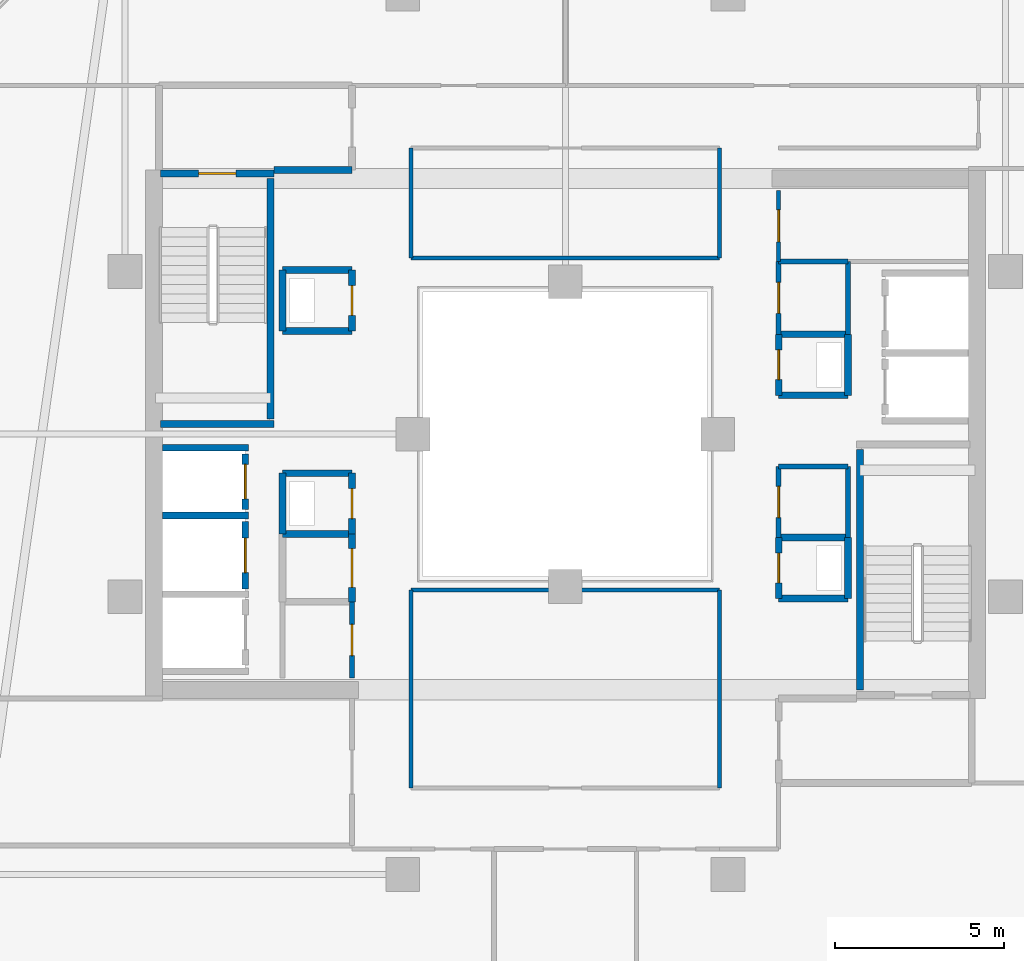
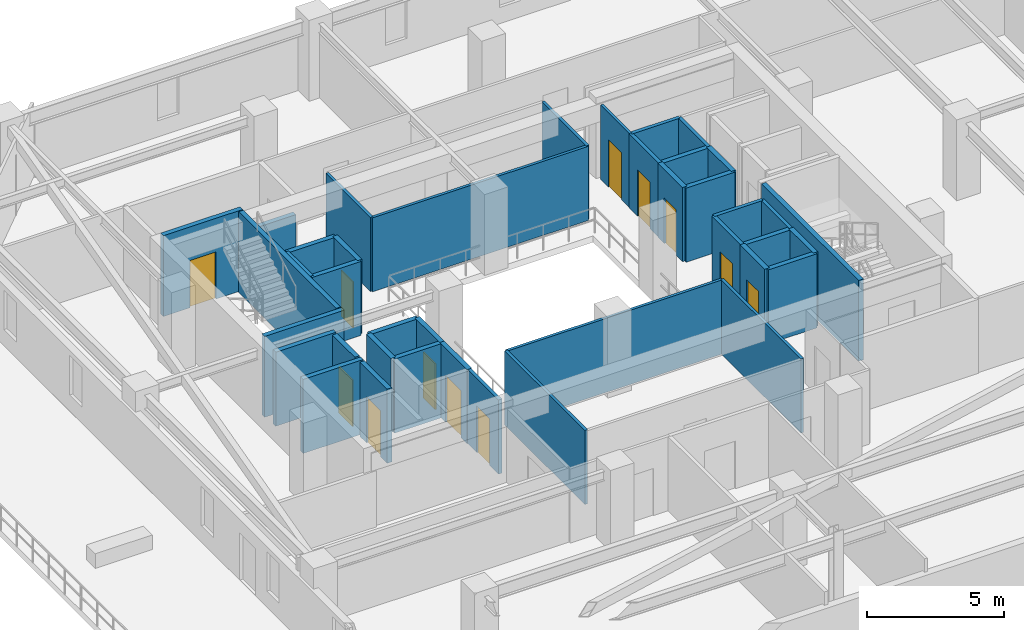
# One storey, part 22 of 29: 40 walls, 12 doors, 12 openings.
"""IFC4 building model written with IfcOpenShell, lengths in metres."""

from ifc_helpers import new_model, si_unit, direction, frame, frame_2d, origin, place, context, subcontext, project, spatial, rectangle, extrude, material, layer, layer_set, type_object, element, fill, save


model = new_model("IFC4")

# Units and contexts
model_context = context("Model", 3, precision=1e-05, world=origin(), true_north=direction((0.0, 1.0)))
body_context = subcontext(model_context, "Body", "Model", "MODEL_VIEW")
ifc_project = project(units=[si_unit("LENGTHUNIT", "METRE"), si_unit("AREAUNIT", "SQUARE_METRE"), si_unit("VOLUMEUNIT", "CUBIC_METRE"), si_unit("PLANEANGLEUNIT", "RADIAN"), si_unit("MASSUNIT", "GRAM", prefix="KILO")], contexts=[model_context])

# Site, building, storey
site_placement = place(None, origin())
site = spatial("IfcSite", under=ifc_project, at=site_placement, CompositionType="ELEMENT")
building_placement = place(site_placement, origin())
building = spatial("IfcBuilding", under=site, at=building_placement, Name="Thornwick Lancets Civic Towers", CompositionType="ELEMENT")
storey_placement = place(building_placement, frame((0.0, 0.0, 229.5)))
storey = spatial("IfcBuildingStorey", under=building, at=storey_placement, Name="L61", CompositionType="ELEMENT", Elevation=229.5)

# Wall, opening, door
ifc_material_1 = material(Name="Concrete blockwork C40/50", Category="masonry")
ifc_layer_1 = layer(ifc_material_1, 0.199951171875, Name="Concrete blockwork C40/50")
ifc_layer_set_1 = layer_set([ifc_layer_1], Name="Concrete blockwork C40/50")
wall_type_1 = type_object("IfcWallType", Name="WALL_COMP_200", PredefinedType="STANDARD", material=ifc_layer_set_1)
wall_1_placement = place(storey_placement, frame((79.050048828125, 24.780029296875, 0.0), z_axis=(0.0, 0.0, 1.0), x_axis=(0.0, 1.0, 0.0)))
wall_1 = element("IfcWall", 1, at=wall_1_placement, inside=storey, type_object=wall_type_1, Name="L61 Hoistway Front Wall FL-B2", PredefinedType="STANDARD", context=body_context, shape_type="SweptSolid", body=[
    extrude(rectangle(XDim=1.639892578125, YDim=0.199951171875, at=frame_2d((0.81982421875, 0.0))), origin(), (0.0, 0.0, 1.0), 3.300048828125),
])
opening_1_placement = place(wall_1_placement, frame((0.31005859375, 0.0, 0.0)))
opening_1 = element("IfcOpeningElement", 2, at=opening_1_placement, cuts=wall_1, Name="Opening LD-FL-B2", PredefinedType="OPENING", context=body_context, shape_type="SweptSolid", body=[
    extrude(rectangle(XDim=1.02001953125, YDim=2.06005859375, at=frame_2d((0.510009765625, 1.030029296875))), frame((0.0, 0.10986328125, 0.0), z_axis=(0.0, -1.0, 0.0), x_axis=(1.0, 0.0, 0.0)), (0.0, 0.0, 1.0), 0.219970703125),
])
ifc_material_2 = material(Name="Brushed bronze stainless steel", Category="steel")
door_type_1 = type_object("IfcDoorType", Name="DOOR_LIFT_SLIDE", OperationType="SLIDING_TO_LEFT", PredefinedType="DOOR", material=ifc_material_2)
door_1_placement = place(opening_1_placement, origin())
door_1 = element("IfcDoor", 3, at=door_1_placement, inside=storey, type_object=door_type_1, Name="L61 Sliding Lift Landing Door LD-FL-B2", OperationType="SLIDING_TO_LEFT", OverallHeight=2.06005859375, OverallWidth=1.02001953125, PredefinedType="DOOR", context=body_context, shape_type="SweptSolid", body=[
    extrude(rectangle(XDim=1.02001953125, YDim=2.06005859375, at=frame_2d((0.510009765625, 1.030029296875))), frame((0.0, 0.02490234375, 0.0), z_axis=(0.0, -1.0, 0.0), x_axis=(1.0, 0.0, 0.0)), (0.0, 0.0, 1.0), 0.050048828125),
])
fill(opening_1, door_1)

wall_2_placement = place(storey_placement, frame((79.050048828125, 22.429931640625, 0.0), z_axis=(0.0, 0.0, 1.0), x_axis=(0.0, 1.0, 0.0)))
wall_2 = element("IfcWall", 4, at=wall_2_placement, inside=storey, type_object=wall_type_1, Name="L61 Hoistway Front Wall PL-BH2", PredefinedType="STANDARD", context=body_context, shape_type="SweptSolid", body=[
    extrude(rectangle(XDim=1.989990234375, YDim=0.199951171875, at=frame_2d((0.9951171875, 0.0))), origin(), (0.0, 0.0, 1.0), 3.300048828125),
])
opening_2_placement = place(wall_2_placement, frame((0.485107421875, 0.0, 0.0)))
opening_2 = element("IfcOpeningElement", 5, at=opening_2_placement, cuts=wall_2, Name="Opening LD-PL-BH2", PredefinedType="OPENING", context=body_context, shape_type="SweptSolid", body=[
    extrude(rectangle(XDim=1.02001953125, YDim=2.06005859375, at=frame_2d((0.510009765625, 1.030029296875))), frame((0.0, 0.10986328125, 0.0), z_axis=(0.0, -1.0, 0.0), x_axis=(1.0, 0.0, 0.0)), (0.0, 0.0, 1.0), 0.219970703125),
])
door_2_placement = place(opening_2_placement, origin())
door_2 = element("IfcDoor", 6, at=door_2_placement, inside=storey, type_object=door_type_1, Name="L61 Sliding Lift Landing Door LD-PL-BH2", OperationType="SLIDING_TO_LEFT", OverallHeight=2.06005859375, OverallWidth=1.02001953125, PredefinedType="DOOR", context=body_context, shape_type="SweptSolid", body=[
    extrude(rectangle(XDim=1.02001953125, YDim=2.06005859375, at=frame_2d((0.510009765625, 1.030029296875))), frame((0.0, 0.02490234375, 0.0), z_axis=(0.0, -1.0, 0.0), x_axis=(1.0, 0.0, 0.0)), (0.0, 0.0, 1.0), 0.050048828125),
])
fill(opening_2, door_2)

# Walls
for number, where, z_axis, x_axis, name in (
    (7, (76.612060546875, 26.60009765625, 0.0), (0.0, 0.0, 1.0), (1.0, 0.0, 0.0), "L61 Hoistway Shaft Wall FL-B2 N"),
    (8, (76.612060546875, 24.60009765625, 0.0), (0.0, 0.0, 1.0), (1.0, 0.0, 0.0), "L61 Hoistway Shaft Wall FL-B2 S"),
):
    element("IfcWall", number, at=place(storey_placement, frame(where, z_axis=z_axis, x_axis=x_axis)), inside=storey, type_object=wall_type_1, Name=name, PredefinedType="STANDARD", context=body_context, shape_type="SweptSolid", body=[
        extrude(rectangle(XDim=2.535888671875, YDim=0.199951171875, at=frame_2d((1.26806640625, 0.0))), origin(), (0.0, 0.0, 1.0), 3.300048828125),
    ])
wall_3_placement = place(storey_placement, frame((79.89990234375, 34.800048828125, 0.0), z_axis=(0.0, 0.0, 1.0), x_axis=(1.0, 0.0, 0.0)))
element("IfcWall", 9, at=wall_3_placement, inside=storey, type_object=wall_type_1, Name="L61 Partition L61-B-FFLOB2 E1", PredefinedType="STANDARD", context=body_context, shape_type="SweptSolid", body=[
    extrude(rectangle(XDim=2.300048828125, YDim=0.199951171875, at=frame_2d((1.14990234375, 0.0))), origin(), (0.0, 0.0, 1.0), 2.5048828125),
])
wall_4_placement = place(storey_placement, frame((94.800048828125, 28.14990234375, 0.0), z_axis=(0.0, 0.0, 1.0), x_axis=(1.0, 0.0, 0.0)))
element("IfcWall", 10, at=wall_4_placement, inside=storey, type_object=wall_type_1, Name="L61 Partition L61-B-DUCT1 E1", PredefinedType="STANDARD", context=body_context, shape_type="SweptSolid", body=[
    extrude(rectangle(XDim=2.050048828125, YDim=0.199951171875, at=frame_2d((1.02490234375, 0.0))), origin(), (0.0, 0.0, 1.0), 3.300048828125),
])
wall_5_placement = place(storey_placement, frame((96.85009765625, 28.14990234375, 0.0), z_axis=(0.0, 0.0, 1.0), x_axis=(0.0, 1.0, 0.0)))
element("IfcWall", 11, at=wall_5_placement, inside=storey, type_object=wall_type_1, Name="L61 Partition L61-B-DUCT1 E2", PredefinedType="STANDARD", context=body_context, shape_type="SweptSolid", body=[
    extrude(rectangle(XDim=1.800048828125, YDim=0.199951171875, at=frame_2d((0.89990234375, 0.0))), origin(), (0.0, 0.0, 1.0), 3.300048828125),
])
wall_6_placement = place(storey_placement, frame((96.85009765625, 29.949951171875, 0.0), z_axis=(0.0, 0.0, 1.0), x_axis=(-1.0, 0.0, 0.0)))
element("IfcWall", 12, at=wall_6_placement, inside=storey, type_object=wall_type_1, Name="L61 Partition L61-B-DUCT1 E3", PredefinedType="STANDARD", context=body_context, shape_type="SweptSolid", body=[
    extrude(rectangle(XDim=2.050048828125, YDim=0.199951171875, at=frame_2d((1.02490234375, 0.0))), origin(), (0.0, 0.0, 1.0), 3.300048828125),
])

# Wall, opening, door
wall_7_placement = place(storey_placement, frame((94.800048828125, 29.949951171875, 0.0), z_axis=(0.0, 0.0, 1.0), x_axis=(0.0, -1.0, 0.0)))
wall_7 = element("IfcWall", 13, at=wall_7_placement, inside=storey, type_object=wall_type_1, Name="L61 Partition L61-B-DUCT1 E4", PredefinedType="STANDARD", context=body_context, shape_type="SweptSolid", body=[
    extrude(rectangle(XDim=1.800048828125, YDim=0.199951171875, at=frame_2d((0.89990234375, 0.0))), origin(), (0.0, 0.0, 1.0), 3.300048828125),
])
opening_3_placement = place(wall_7_placement, frame((0.4599609375, 0.0, 0.0)))
opening_3 = element("IfcOpeningElement", 14, at=opening_3_placement, cuts=wall_7, Name="Opening D-L61-2750", PredefinedType="OPENING", context=body_context, shape_type="SweptSolid", body=[
    extrude(rectangle(XDim=0.8798828125, YDim=2.0400390625, at=frame_2d((0.43994140625, 1.02001953125))), frame((0.0, 0.10986328125, 0.0), z_axis=(0.0, -1.0, 0.0), x_axis=(1.0, 0.0, 0.0)), (0.0, 0.0, 1.0), 0.219970703125),
])
ifc_material_3 = material(Name="Steel riser access doorset", Category="steel")
door_type_2 = type_object("IfcDoorType", Name="DOOR_RISER_850", OperationType="NOTDEFINED", PredefinedType="DOOR", material=ifc_material_3)
door_3_placement = place(opening_3_placement, origin())
door_3 = element("IfcDoor", 15, at=door_3_placement, inside=storey, type_object=door_type_2, Name="L61 East Service Duct 1 Door", OperationType="SINGLE_SWING_LEFT", OverallHeight=2.0400390625, OverallWidth=0.8798828125, PredefinedType="DOOR", context=body_context, shape_type="SweptSolid", body=[
    extrude(rectangle(XDim=0.8798828125, YDim=2.0400390625, at=frame_2d((0.43994140625, 1.02001953125))), frame((0.0, 0.02490234375, 0.0), z_axis=(0.0, -1.0, 0.0), x_axis=(1.0, 0.0, 0.0)), (0.0, 0.0, 1.0), 0.050048828125),
])
fill(opening_3, door_3)

# Walls
wall_8_placement = place(storey_placement, frame((94.800048828125, 22.14990234375, 0.0), z_axis=(0.0, 0.0, 1.0), x_axis=(1.0, 0.0, 0.0)))
element("IfcWall", 16, at=wall_8_placement, inside=storey, type_object=wall_type_1, Name="L61 Partition L61-B-RISER1 E1", PredefinedType="STANDARD", context=body_context, shape_type="SweptSolid", body=[
    extrude(rectangle(XDim=2.050048828125, YDim=0.199951171875, at=frame_2d((1.02490234375, 0.0))), origin(), (0.0, 0.0, 1.0), 3.300048828125),
])
wall_9_placement = place(storey_placement, frame((96.85009765625, 22.14990234375, 0.0), z_axis=(0.0, 0.0, 1.0), x_axis=(0.0, 1.0, 0.0)))
element("IfcWall", 17, at=wall_9_placement, inside=storey, type_object=wall_type_1, Name="L61 Partition L61-B-RISER1 E2", PredefinedType="STANDARD", context=body_context, shape_type="SweptSolid", body=[
    extrude(rectangle(XDim=1.800048828125, YDim=0.199951171875, at=frame_2d((0.89990234375, 0.0))), origin(), (0.0, 0.0, 1.0), 3.300048828125),
])
wall_10_placement = place(storey_placement, frame((96.85009765625, 23.949951171875, 0.0), z_axis=(0.0, 0.0, 1.0), x_axis=(-1.0, 0.0, 0.0)))
element("IfcWall", 18, at=wall_10_placement, inside=storey, type_object=wall_type_1, Name="L61 Partition L61-B-RISER1 E3", PredefinedType="STANDARD", context=body_context, shape_type="SweptSolid", body=[
    extrude(rectangle(XDim=2.050048828125, YDim=0.199951171875, at=frame_2d((1.02490234375, 0.0))), origin(), (0.0, 0.0, 1.0), 3.300048828125),
])

# Wall, opening, door
wall_11_placement = place(storey_placement, frame((94.800048828125, 23.949951171875, 0.0), z_axis=(0.0, 0.0, 1.0), x_axis=(0.0, -1.0, 0.0)))
wall_11 = element("IfcWall", 19, at=wall_11_placement, inside=storey, type_object=wall_type_1, Name="L61 Partition L61-B-RISER1 E4", PredefinedType="STANDARD", context=body_context, shape_type="SweptSolid", body=[
    extrude(rectangle(XDim=1.800048828125, YDim=0.199951171875, at=frame_2d((0.89990234375, 0.0))), origin(), (0.0, 0.0, 1.0), 3.300048828125),
])
opening_4_placement = place(wall_11_placement, frame((0.4599609375, 0.0, 0.0)))
opening_4 = element("IfcOpeningElement", 20, at=opening_4_placement, cuts=wall_11, Name="Opening D-L61-2751", PredefinedType="OPENING", context=body_context, shape_type="SweptSolid", body=[
    extrude(rectangle(XDim=0.8798828125, YDim=2.0400390625, at=frame_2d((0.43994140625, 1.02001953125))), frame((0.0, 0.10986328125, 0.0), z_axis=(0.0, -1.0, 0.0), x_axis=(1.0, 0.0, 0.0)), (0.0, 0.0, 1.0), 0.219970703125),
])
door_4_placement = place(opening_4_placement, origin())
door_4 = element("IfcDoor", 21, at=door_4_placement, inside=storey, type_object=door_type_2, Name="L61 East Electrical Riser 1 Door", OperationType="SINGLE_SWING_RIGHT", OverallHeight=2.0400390625, OverallWidth=0.8798828125, PredefinedType="DOOR", context=body_context, shape_type="SweptSolid", body=[
    extrude(rectangle(XDim=0.8798828125, YDim=2.0400390625, at=frame_2d((0.43994140625, 1.02001953125))), frame((0.0, 0.02490234375, 0.0), z_axis=(0.0, -1.0, 0.0), x_axis=(1.0, 0.0, 0.0)), (0.0, 0.0, 1.0), 0.050048828125),
])
fill(opening_4, door_4)

# Wall
wall_12_placement = place(storey_placement, frame((80.14990234375, 24.050048828125, 0.0), z_axis=(0.0, 0.0, 1.0), x_axis=(1.0, 0.0, 0.0)))
element("IfcWall", 22, at=wall_12_placement, inside=storey, type_object=wall_type_1, Name="L61 Partition L61-B-DUCT2 E1", PredefinedType="STANDARD", context=body_context, shape_type="SweptSolid", body=[
    extrude(rectangle(XDim=2.050048828125, YDim=0.199951171875, at=frame_2d((1.02490234375, 0.0))), origin(), (0.0, 0.0, 1.0), 3.300048828125),
])

# Wall, opening, door
wall_13_placement = place(storey_placement, frame((82.199951171875, 24.050048828125, 0.0), z_axis=(0.0, 0.0, 1.0), x_axis=(0.0, 1.0, 0.0)))
wall_13 = element("IfcWall", 23, at=wall_13_placement, inside=storey, type_object=wall_type_1, Name="L61 Partition L61-B-DUCT2 E2", PredefinedType="STANDARD", context=body_context, shape_type="SweptSolid", body=[
    extrude(rectangle(XDim=1.800048828125, YDim=0.199951171875, at=frame_2d((0.89990234375, 0.0))), origin(), (0.0, 0.0, 1.0), 3.300048828125),
])
opening_5_placement = place(wall_13_placement, frame((0.4599609375, 0.0, 0.0)))
opening_5 = element("IfcOpeningElement", 24, at=opening_5_placement, cuts=wall_13, Name="Opening D-L61-2752", PredefinedType="OPENING", context=body_context, shape_type="SweptSolid", body=[
    extrude(rectangle(XDim=0.8798828125, YDim=2.0400390625, at=frame_2d((0.43994140625, 1.02001953125))), frame((0.0, 0.10986328125, 0.0), z_axis=(0.0, -1.0, 0.0), x_axis=(1.0, 0.0, 0.0)), (0.0, 0.0, 1.0), 0.219970703125),
])
door_5_placement = place(opening_5_placement, origin())
door_5 = element("IfcDoor", 25, at=door_5_placement, inside=storey, type_object=door_type_2, Name="L61 West Service Duct 2 Door", OperationType="SINGLE_SWING_LEFT", OverallHeight=2.0400390625, OverallWidth=0.8798828125, PredefinedType="DOOR", context=body_context, shape_type="SweptSolid", body=[
    extrude(rectangle(XDim=0.8798828125, YDim=2.0400390625, at=frame_2d((0.43994140625, 1.02001953125))), frame((0.0, 0.02490234375, 0.0), z_axis=(0.0, -1.0, 0.0), x_axis=(1.0, 0.0, 0.0)), (0.0, 0.0, 1.0), 0.050048828125),
])
fill(opening_5, door_5)

# Walls
wall_14_placement = place(storey_placement, frame((82.199951171875, 25.85009765625, 0.0), z_axis=(0.0, 0.0, 1.0), x_axis=(-1.0, 0.0, 0.0)))
element("IfcWall", 26, at=wall_14_placement, inside=storey, type_object=wall_type_1, Name="L61 Partition L61-B-DUCT2 E3", PredefinedType="STANDARD", context=body_context, shape_type="SweptSolid", body=[
    extrude(rectangle(XDim=2.050048828125, YDim=0.199951171875, at=frame_2d((1.02490234375, 0.0))), origin(), (0.0, 0.0, 1.0), 3.300048828125),
])
wall_15_placement = place(storey_placement, frame((80.14990234375, 25.85009765625, 0.0), z_axis=(0.0, 0.0, 1.0), x_axis=(0.0, -1.0, 0.0)))
element("IfcWall", 27, at=wall_15_placement, inside=storey, type_object=wall_type_1, Name="L61 Partition L61-B-DUCT2 E4", PredefinedType="STANDARD", context=body_context, shape_type="SweptSolid", body=[
    extrude(rectangle(XDim=1.800048828125, YDim=0.199951171875, at=frame_2d((0.89990234375, 0.0))), origin(), (0.0, 0.0, 1.0), 3.300048828125),
])
wall_16_placement = place(storey_placement, frame((80.14990234375, 30.050048828125, 0.0), z_axis=(0.0, 0.0, 1.0), x_axis=(1.0, 0.0, 0.0)))
element("IfcWall", 28, at=wall_16_placement, inside=storey, type_object=wall_type_1, Name="L61 Partition L61-B-RISER2 E1", PredefinedType="STANDARD", context=body_context, shape_type="SweptSolid", body=[
    extrude(rectangle(XDim=2.050048828125, YDim=0.199951171875, at=frame_2d((1.02490234375, 0.0))), origin(), (0.0, 0.0, 1.0), 3.300048828125),
])

# Wall, opening, door
wall_17_placement = place(storey_placement, frame((82.199951171875, 30.050048828125, 0.0), z_axis=(0.0, 0.0, 1.0), x_axis=(0.0, 1.0, 0.0)))
wall_17 = element("IfcWall", 29, at=wall_17_placement, inside=storey, type_object=wall_type_1, Name="L61 Partition L61-B-RISER2 E2", PredefinedType="STANDARD", context=body_context, shape_type="SweptSolid", body=[
    extrude(rectangle(XDim=1.800048828125, YDim=0.199951171875, at=frame_2d((0.89990234375, 0.0))), origin(), (0.0, 0.0, 1.0), 3.300048828125),
])
opening_6_placement = place(wall_17_placement, frame((0.4599609375, 0.0, 0.0)))
opening_6 = element("IfcOpeningElement", 30, at=opening_6_placement, cuts=wall_17, Name="Opening D-L61-2753", PredefinedType="OPENING", context=body_context, shape_type="SweptSolid", body=[
    extrude(rectangle(XDim=0.8798828125, YDim=2.0400390625, at=frame_2d((0.43994140625, 1.02001953125))), frame((0.0, 0.10986328125, 0.0), z_axis=(0.0, -1.0, 0.0), x_axis=(1.0, 0.0, 0.0)), (0.0, 0.0, 1.0), 0.219970703125),
])
door_6_placement = place(opening_6_placement, origin())
door_6 = element("IfcDoor", 31, at=door_6_placement, inside=storey, type_object=door_type_2, Name="L61 West Service Riser 2 Door", OperationType="SINGLE_SWING_RIGHT", OverallHeight=2.0400390625, OverallWidth=0.8798828125, PredefinedType="DOOR", context=body_context, shape_type="SweptSolid", body=[
    extrude(rectangle(XDim=0.8798828125, YDim=2.0400390625, at=frame_2d((0.43994140625, 1.02001953125))), frame((0.0, 0.02490234375, 0.0), z_axis=(0.0, -1.0, 0.0), x_axis=(1.0, 0.0, 0.0)), (0.0, 0.0, 1.0), 0.050048828125),
])
fill(opening_6, door_6)

# Walls
wall_18_placement = place(storey_placement, frame((82.199951171875, 31.85009765625, 0.0), z_axis=(0.0, 0.0, 1.0), x_axis=(-1.0, 0.0, 0.0)))
element("IfcWall", 32, at=wall_18_placement, inside=storey, type_object=wall_type_1, Name="L61 Partition L61-B-RISER2 E3", PredefinedType="STANDARD", context=body_context, shape_type="SweptSolid", body=[
    extrude(rectangle(XDim=2.050048828125, YDim=0.199951171875, at=frame_2d((1.02490234375, 0.0))), origin(), (0.0, 0.0, 1.0), 3.300048828125),
])
wall_19_placement = place(storey_placement, frame((80.14990234375, 31.85009765625, 0.0), z_axis=(0.0, 0.0, 1.0), x_axis=(0.0, -1.0, 0.0)))
element("IfcWall", 33, at=wall_19_placement, inside=storey, type_object=wall_type_1, Name="L61 Partition L61-B-RISER2 E4", PredefinedType="STANDARD", context=body_context, shape_type="SweptSolid", body=[
    extrude(rectangle(XDim=1.800048828125, YDim=0.199951171875, at=frame_2d((0.89990234375, 0.0))), origin(), (0.0, 0.0, 1.0), 3.300048828125),
])

# Wall, opening, door
wall_20_placement = place(storey_placement, frame((82.199951171875, 24.050048828125, 0.0), z_axis=(0.0, 0.0, 1.0), x_axis=(0.0, -1.0, 0.0)))
wall_20 = element("IfcWall", 34, at=wall_20_placement, inside=storey, type_object=wall_type_1, Name="L61 Partition L61-B-STR E3", PredefinedType="STANDARD", context=body_context, shape_type="SweptSolid", body=[
    extrude(rectangle(XDim=2.0, YDim=0.199951171875, at=frame_2d((1.0, 0.0))), origin(), (0.0, 0.0, 1.0), 3.300048828125),
])
opening_7_placement = place(wall_20_placement, frame((0.425048828125, 0.0, 0.0)))
opening_7 = element("IfcOpeningElement", 35, at=opening_7_placement, cuts=wall_20, Name="Opening D-L61-2758", PredefinedType="OPENING", context=body_context, shape_type="SweptSolid", body=[
    extrude(rectangle(XDim=1.14990234375, YDim=2.10009765625, at=frame_2d((0.574951171875, 1.050048828125))), frame((0.0, 0.10986328125, 0.0), z_axis=(0.0, -1.0, 0.0), x_axis=(1.0, 0.0, 0.0)), (0.0, 0.0, 1.0), 0.219970703125),
])
ifc_material_4 = material(Name="Glazed fire-resisting steel", Category="steel")
door_type_3 = type_object("IfcDoorType", Name="DOOR_LOBBY_FD60", OperationType="NOTDEFINED", PredefinedType="DOOR", material=ifc_material_4)
door_7_placement = place(opening_7_placement, origin())
door_7 = element("IfcDoor", 36, at=door_7_placement, inside=storey, type_object=door_type_3, Name="L61 Tower B Core Records Store Door", OperationType="SINGLE_SWING_LEFT", OverallHeight=2.10009765625, OverallWidth=1.14990234375, PredefinedType="DOOR", context=body_context, shape_type="SweptSolid", body=[
    extrude(rectangle(XDim=1.14990234375, YDim=2.10009765625, at=frame_2d((0.574951171875, 1.050048828125))), frame((0.0, 0.02490234375, 0.0), z_axis=(0.0, -1.0, 0.0), x_axis=(1.0, 0.0, 0.0)), (0.0, 0.0, 1.0), 0.050048828125),
])
fill(opening_7, door_7)

ifc_material_5 = material(Name="Acoustic gypsum board partition")
ifc_layer_2 = layer(ifc_material_5, 0.1201171875, Name="Acoustic gypsum board partition")
ifc_layer_set_2 = layer_set([ifc_layer_2], Name="Acoustic gypsum board partition")
wall_type_2 = type_object("IfcWallType", Name="WALL_PART_120", PredefinedType="PARTITIONING", material=ifc_layer_set_2)
wall_21_placement = place(storey_placement, frame((94.800048828125, 32.10009765625, 0.0), z_axis=(0.0, 0.0, 1.0), x_axis=(0.0, 1.0, 0.0)))
wall_21 = element("IfcWall", 37, at=wall_21_placement, inside=storey, type_object=wall_type_2, Name="L61 Partition L61-B-ITR E1", PredefinedType="PARTITIONING", context=body_context, shape_type="SweptSolid", body=[
    extrude(rectangle(XDim=2.099853515625, YDim=0.1201171875, at=frame_2d((1.0498046875, 0.0))), origin(), (0.0, 0.0, 1.0), 3.300048828125),
])
opening_8_placement = place(wall_21_placement, frame((0.574951171875, 0.0, 0.0)))
opening_8 = element("IfcOpeningElement", 38, at=opening_8_placement, cuts=wall_21, Name="Opening D-L61-2756", PredefinedType="OPENING", context=body_context, shape_type="SweptSolid", body=[
    extrude(rectangle(XDim=0.949951171875, YDim=2.10009765625, at=frame_2d((0.47509765625, 1.050048828125))), frame((0.0, 0.070068359375, 0.0), z_axis=(0.0, -1.0, 0.0), x_axis=(1.0, 0.0, 0.0)), (0.0, 0.0, 1.0), 0.14013671875),
])
ifc_material_6 = material(Name="European oak acoustic doorset")
door_type_4 = type_object("IfcDoorType", Name="DOOR_OFFICE_950", OperationType="NOTDEFINED", PredefinedType="DOOR", material=ifc_material_6)
door_8_placement = place(opening_8_placement, origin())
door_8 = element("IfcDoor", 39, at=door_8_placement, inside=storey, type_object=door_type_4, Name="L61 Tower B Comms Patch Room Door", OperationType="SINGLE_SWING_LEFT", OverallHeight=2.10009765625, OverallWidth=0.949951171875, PredefinedType="DOOR", context=body_context, shape_type="SweptSolid", body=[
    extrude(rectangle(XDim=0.949951171875, YDim=2.10009765625, at=frame_2d((0.47509765625, 1.050048828125))), frame((0.0, 0.02490234375, 0.0), z_axis=(0.0, -1.0, 0.0), x_axis=(1.0, 0.0, 0.0)), (0.0, 0.0, 1.0), 0.050048828125),
])
fill(opening_8, door_8)

# Walls
wall_22_placement = place(storey_placement, frame((83.949951171875, 16.550048828125, 0.0), z_axis=(0.0, 0.0, 1.0), x_axis=(0.0, 1.0, 0.0)))
element("IfcWall", 40, at=wall_22_placement, inside=storey, type_object=wall_type_2, Name="L61 Partition L61-B-W3 E1", PredefinedType="PARTITIONING", context=body_context, shape_type="SweptSolid", body=[
    extrude(rectangle(XDim=5.849853515625, YDim=0.1201171875, at=frame_2d((2.9248046875, 0.0))), origin(), (0.0, 0.0, 1.0), 3.300048828125),
])
wall_23_placement = place(storey_placement, frame((83.949951171875, 22.39990234375, 0.0), z_axis=(0.0, 0.0, 1.0), x_axis=(1.0, 0.0, 0.0)))
element("IfcWall", 41, at=wall_23_placement, inside=storey, type_object=wall_type_2, Name="L61 Partition L61-B-W3 E2", PredefinedType="PARTITIONING", context=body_context, shape_type="SweptSolid", body=[
    extrude(rectangle(XDim=9.10009765625, YDim=0.1201171875, at=frame_2d((4.550048828125, 0.0))), origin(), (0.0, 0.0, 1.0), 3.300048828125),
])
wall_24_placement = place(storey_placement, frame((93.050048828125, 22.39990234375, 0.0), z_axis=(0.0, 0.0, 1.0), x_axis=(0.0, -1.0, 0.0)))
element("IfcWall", 42, at=wall_24_placement, inside=storey, type_object=wall_type_2, Name="L61 Partition L61-B-W3 E3", PredefinedType="PARTITIONING", context=body_context, shape_type="SweptSolid", body=[
    extrude(rectangle(XDim=5.849853515625, YDim=0.1201171875, at=frame_2d((2.9248046875, 0.0))), origin(), (0.0, 0.0, 1.0), 3.300048828125),
])
for number, where, z_axis, x_axis, name in (
    (43, (83.949951171875, 32.199951171875, 0.0), (0.0, 0.0, 1.0), (0.0, 1.0, 0.0), "L61 Partition L61-B-E-ATRIUM-OFF E1"),
    (44, (93.050048828125, 35.449951171875, 0.0), (0.0, 0.0, 1.0), (0.0, -1.0, 0.0), "L61 Partition L61-B-E-ATRIUM-OFF E3"),
):
    element("IfcWall", number, at=place(storey_placement, frame(where, z_axis=z_axis, x_axis=x_axis)), inside=storey, type_object=wall_type_2, Name=name, PredefinedType="PARTITIONING", context=body_context, shape_type="SweptSolid", body=[
        extrude(rectangle(XDim=3.25, YDim=0.1201171875, at=frame_2d((1.625, 0.0))), origin(), (0.0, 0.0, 1.0), 3.300048828125),
    ])
wall_25_placement = place(storey_placement, frame((93.050048828125, 32.199951171875, 0.0), z_axis=(0.0, 0.0, 1.0), x_axis=(-1.0, 0.0, 0.0)))
element("IfcWall", 45, at=wall_25_placement, inside=storey, type_object=wall_type_2, Name="L61 Partition L61-B-E-ATRIUM-OFF E4", PredefinedType="PARTITIONING", context=body_context, shape_type="SweptSolid", body=[
    extrude(rectangle(XDim=9.10009765625, YDim=0.1201171875, at=frame_2d((4.550048828125, 0.0))), origin(), (0.0, 0.0, 1.0), 3.300048828125),
])

# Wall, opening, door
ifc_material_7 = material(Name="Twin-stud acoustic gypsum board")
ifc_layer_3 = layer(ifc_material_7, 0.14990234375, Name="Twin-stud acoustic gypsum board")
ifc_layer_set_3 = layer_set([ifc_layer_3], Name="Twin-stud acoustic gypsum board")
wall_type_3 = type_object("IfcWallType", Name="WALL_PART_150", PredefinedType="PARTITIONING", material=ifc_layer_set_3)
wall_26_placement = place(storey_placement, frame((94.800048828125, 23.949951171875, 0.0), z_axis=(0.0, 0.0, 1.0), x_axis=(0.0, 1.0, 0.0)))
wall_26 = element("IfcWall", 46, at=wall_26_placement, inside=storey, type_object=wall_type_3, Name="L61 Partition L61-B-MWC E1", PredefinedType="PARTITIONING", context=body_context, shape_type="SweptSolid", body=[
    extrude(rectangle(XDim=2.10009765625, YDim=0.14990234375, at=frame_2d((1.050048828125, 0.0))), origin(), (0.0, 0.0, 1.0), 3.300048828125),
])
opening_9_placement = place(wall_26_placement, frame((0.590087890625, 0.0, 0.0)))
opening_9 = element("IfcOpeningElement", 47, at=opening_9_placement, cuts=wall_26, Name="Opening D-L61-2754", PredefinedType="OPENING", context=body_context, shape_type="SweptSolid", body=[
    extrude(rectangle(XDim=0.919921875, YDim=2.080078125, at=frame_2d((0.4599609375, 1.0400390625))), frame((0.0, 0.0849609375, 0.0), z_axis=(0.0, -1.0, 0.0), x_axis=(1.0, 0.0, 0.0)), (0.0, 0.0, 1.0), 0.169921875),
])
ifc_material_8 = material(Name="Moisture-resistant oak doorset")
door_type_5 = type_object("IfcDoorType", Name="DOOR_WC_900", OperationType="NOTDEFINED", PredefinedType="DOOR", material=ifc_material_8)
door_9_placement = place(opening_9_placement, origin())
door_9 = element("IfcDoor", 48, at=door_9_placement, inside=storey, type_object=door_type_5, Name="L61 Tower B Male WC Door", OperationType="SINGLE_SWING_LEFT", OverallHeight=2.080078125, OverallWidth=0.919921875, PredefinedType="DOOR", context=body_context, shape_type="SweptSolid", body=[
    extrude(rectangle(XDim=0.919921875, YDim=2.080078125, at=frame_2d((0.4599609375, 1.0400390625))), frame((0.0, 0.02490234375, 0.0), z_axis=(0.0, -1.0, 0.0), x_axis=(1.0, 0.0, 0.0)), (0.0, 0.0, 1.0), 0.050048828125),
])
fill(opening_9, door_9)

# Walls
wall_27_placement = place(storey_placement, frame((94.800048828125, 26.050048828125, 0.0), z_axis=(0.0, 0.0, 1.0), x_axis=(1.0, 0.0, 0.0)))
element("IfcWall", 49, at=wall_27_placement, inside=storey, type_object=wall_type_3, Name="L61 Partition L61-B-MWC E2", PredefinedType="PARTITIONING", context=body_context, shape_type="SweptSolid", body=[
    extrude(rectangle(XDim=2.050048828125, YDim=0.14990234375, at=frame_2d((1.02490234375, 0.0))), origin(), (0.0, 0.0, 1.0), 3.300048828125),
])
wall_28_placement = place(storey_placement, frame((96.85009765625, 26.050048828125, 0.0), z_axis=(0.0, 0.0, 1.0), x_axis=(0.0, -1.0, 0.0)))
element("IfcWall", 50, at=wall_28_placement, inside=storey, type_object=wall_type_3, Name="L61 Partition L61-B-MWC E3", PredefinedType="PARTITIONING", context=body_context, shape_type="SweptSolid", body=[
    extrude(rectangle(XDim=2.10009765625, YDim=0.14990234375, at=frame_2d((1.050048828125, 0.0))), origin(), (0.0, 0.0, 1.0), 3.300048828125),
])

# Wall, opening, door
wall_29_placement = place(storey_placement, frame((94.800048828125, 29.949951171875, 0.0), z_axis=(0.0, 0.0, 1.0), x_axis=(0.0, 1.0, 0.0)))
wall_29 = element("IfcWall", 51, at=wall_29_placement, inside=storey, type_object=wall_type_3, Name="L61 Partition L61-B-FWC E1", PredefinedType="PARTITIONING", context=body_context, shape_type="SweptSolid", body=[
    extrude(rectangle(XDim=2.150146484375, YDim=0.14990234375, at=frame_2d((1.0751953125, 0.0))), origin(), (0.0, 0.0, 1.0), 3.300048828125),
])
opening_10_placement = place(wall_29_placement, frame((0.614990234375, 0.0, 0.0)))
opening_10 = element("IfcOpeningElement", 52, at=opening_10_placement, cuts=wall_29, Name="Opening D-L61-2755", PredefinedType="OPENING", context=body_context, shape_type="SweptSolid", body=[
    extrude(rectangle(XDim=0.919921875, YDim=2.080078125, at=frame_2d((0.4599609375, 1.0400390625))), frame((0.0, 0.0849609375, 0.0), z_axis=(0.0, -1.0, 0.0), x_axis=(1.0, 0.0, 0.0)), (0.0, 0.0, 1.0), 0.169921875),
])
door_10_placement = place(opening_10_placement, origin())
door_10 = element("IfcDoor", 53, at=door_10_placement, inside=storey, type_object=door_type_5, Name="L61 Tower B Female WC Door", OperationType="SINGLE_SWING_RIGHT", OverallHeight=2.080078125, OverallWidth=0.919921875, PredefinedType="DOOR", context=body_context, shape_type="SweptSolid", body=[
    extrude(rectangle(XDim=0.919921875, YDim=2.080078125, at=frame_2d((0.4599609375, 1.0400390625))), frame((0.0, 0.02490234375, 0.0), z_axis=(0.0, -1.0, 0.0), x_axis=(1.0, 0.0, 0.0)), (0.0, 0.0, 1.0), 0.050048828125),
])
fill(opening_10, door_10)

# Walls
wall_30_placement = place(storey_placement, frame((94.800048828125, 32.10009765625, 0.0), z_axis=(0.0, 0.0, 1.0), x_axis=(1.0, 0.0, 0.0)))
element("IfcWall", 54, at=wall_30_placement, inside=storey, type_object=wall_type_3, Name="L61 Partition L61-B-FWC E2", PredefinedType="PARTITIONING", context=body_context, shape_type="SweptSolid", body=[
    extrude(rectangle(XDim=2.050048828125, YDim=0.14990234375, at=frame_2d((1.02490234375, 0.0))), origin(), (0.0, 0.0, 1.0), 3.300048828125),
])
wall_31_placement = place(storey_placement, frame((96.85009765625, 32.10009765625, 0.0), z_axis=(0.0, 0.0, 1.0), x_axis=(0.0, -1.0, 0.0)))
element("IfcWall", 55, at=wall_31_placement, inside=storey, type_object=wall_type_3, Name="L61 Partition L61-B-FWC E3", PredefinedType="PARTITIONING", context=body_context, shape_type="SweptSolid", body=[
    extrude(rectangle(XDim=2.150146484375, YDim=0.14990234375, at=frame_2d((1.0751953125, 0.0))), origin(), (0.0, 0.0, 1.0), 3.300048828125),
])

# Wall, opening, door
wall_32_placement = place(storey_placement, frame((82.199951171875, 19.800048828125, 0.0), z_axis=(0.0, 0.0, 1.0), x_axis=(0.0, 1.0, 0.0)))
wall_32 = element("IfcWall", 56, at=wall_32_placement, inside=storey, type_object=wall_type_3, Name="L61 Partition L61-B-AWC E2", PredefinedType="PARTITIONING", context=body_context, shape_type="SweptSolid", body=[
    extrude(rectangle(XDim=2.25, YDim=0.14990234375, at=frame_2d((1.125, 0.0))), origin(), (0.0, 0.0, 1.0), 3.300048828125),
])
opening_11_placement = place(wall_32_placement, frame((0.6650390625, 0.0, 0.0)))
opening_11 = element("IfcOpeningElement", 57, at=opening_11_placement, cuts=wall_32, Name="Opening D-L61-2757", PredefinedType="OPENING", context=body_context, shape_type="SweptSolid", body=[
    extrude(rectangle(XDim=0.919921875, YDim=2.080078125, at=frame_2d((0.4599609375, 1.0400390625))), frame((0.0, 0.0849609375, 0.0), z_axis=(0.0, -1.0, 0.0), x_axis=(1.0, 0.0, 0.0)), (0.0, 0.0, 1.0), 0.169921875),
])
door_11_placement = place(opening_11_placement, origin())
door_11 = element("IfcDoor", 58, at=door_11_placement, inside=storey, type_object=door_type_5, Name="L61 Tower B Accessible WC Door", OperationType="SINGLE_SWING_RIGHT", OverallHeight=2.080078125, OverallWidth=0.919921875, PredefinedType="DOOR", context=body_context, shape_type="SweptSolid", body=[
    extrude(rectangle(XDim=0.919921875, YDim=2.080078125, at=frame_2d((0.4599609375, 1.0400390625))), frame((0.0, 0.02490234375, 0.0), z_axis=(0.0, -1.0, 0.0), x_axis=(1.0, 0.0, 0.0)), (0.0, 0.0, 1.0), 0.050048828125),
])
fill(opening_11, door_11)

# Wall
ifc_material_9 = material(Name="Concrete C40/50", Category="concrete")
ifc_layer_4 = layer(ifc_material_9, 0.199951171875, Name="Concrete C40/50")
ifc_layer_set_4 = layer_set([ifc_layer_4], Name="Concrete C40/50")
wall_type_4 = type_object("IfcWallType", Name="WALL_SHAFT_200", PredefinedType="SHEAR", material=ifc_layer_set_4)
wall_33_placement = place(storey_placement, frame((97.202880859375, 26.550048828125, 0.0), z_axis=(0.0, 0.0, 1.0), x_axis=(0.0, -1.0, 0.0)))
element("IfcWall", 59, at=wall_33_placement, inside=storey, type_object=wall_type_4, Name="L61 ST-B1 Fire Stair Core Wall RIGHT", PredefinedType="SHEAR", context=body_context, shape_type="SweptSolid", body=[
    extrude(rectangle(XDim=7.10009765625, YDim=0.199951171875, at=frame_2d((3.550048828125, 0.0))), origin(), (0.0, 0.0, 1.0), 3.60009765625),
])

# Wall, opening, door
wall_34_placement = place(storey_placement, frame((76.550048828125, 34.699951171875, 0.0), z_axis=(0.0, 0.0, 1.0), x_axis=(1.0, 0.0, 0.0)))
wall_34 = element("IfcWall", 60, at=wall_34_placement, inside=storey, type_object=wall_type_4, Name="L61 ST-B2 Fire Stair Core Wall NEAR", PredefinedType="SHEAR", context=body_context, shape_type="SweptSolid", body=[
    extrude(rectangle(XDim=3.349853515625, YDim=0.199951171875, at=frame_2d((1.6748046875, 0.0))), origin(), (0.0, 0.0, 1.0), 3.60009765625),
])
opening_12_placement = place(wall_34_placement, frame((1.125, 0.0, 0.0)))
opening_12 = element("IfcOpeningElement", 61, at=opening_12_placement, cuts=wall_34, Name="Opening D-ST-B2-L61", PredefinedType="OPENING", context=body_context, shape_type="SweptSolid", body=[
    extrude(rectangle(XDim=1.10009765625, YDim=2.10009765625, at=frame_2d((0.550048828125, 1.050048828125))), frame((0.0, 0.10986328125, 0.0), z_axis=(0.0, -1.0, 0.0), x_axis=(1.0, 0.0, 0.0)), (0.0, 0.0, 1.0), 0.219970703125),
])
ifc_material_10 = material(Name="Fire-resisting steel and hardwood", Category="steel")
door_type_6 = type_object("IfcDoorType", Name="DOOR_STAIR_FD60", OperationType="NOTDEFINED", PredefinedType="DOOR", material=ifc_material_10)
door_12_placement = place(opening_12_placement, origin())
door_12 = element("IfcDoor", 62, at=door_12_placement, inside=storey, type_object=door_type_6, Name="L61 ST-B2 Exit Stair Door", OperationType="SINGLE_SWING_LEFT", OverallHeight=2.10009765625, OverallWidth=1.10009765625, PredefinedType="DOOR", context=body_context, shape_type="SweptSolid", body=[
    extrude(rectangle(XDim=1.10009765625, YDim=2.10009765625, at=frame_2d((0.550048828125, 1.050048828125))), frame((0.0, 0.02490234375, 0.0), z_axis=(0.0, -1.0, 0.0), x_axis=(1.0, 0.0, 0.0)), (0.0, 0.0, 1.0), 0.050048828125),
])
fill(opening_12, door_12)

# Walls
wall_35_placement = place(storey_placement, frame((79.89990234375, 27.300048828125, 0.0), z_axis=(0.0, 0.0, 1.0), x_axis=(-1.0, 0.0, 0.0)))
element("IfcWall", 63, at=wall_35_placement, inside=storey, type_object=wall_type_4, Name="L61 ST-B2 Fire Stair Core Wall FAR", PredefinedType="SHEAR", context=body_context, shape_type="SweptSolid", body=[
    extrude(rectangle(XDim=3.349853515625, YDim=0.199951171875, at=frame_2d((1.6748046875, 0.0))), origin(), (0.0, 0.0, 1.0), 3.60009765625),
])
wall_36_placement = place(storey_placement, frame((79.797119140625, 27.449951171875, 0.0), z_axis=(0.0, 0.0, 1.0), x_axis=(0.0, 1.0, 0.0)))
element("IfcWall", 64, at=wall_36_placement, inside=storey, type_object=wall_type_4, Name="L61 ST-B2 Fire Stair Core Wall RIGHT", PredefinedType="SHEAR", context=body_context, shape_type="SweptSolid", body=[
    extrude(rectangle(XDim=7.10009765625, YDim=0.199951171875, at=frame_2d((3.550048828125, 0.0))), origin(), (0.0, 0.0, 1.0), 3.60009765625),
])

save(model, "model.ifc")
